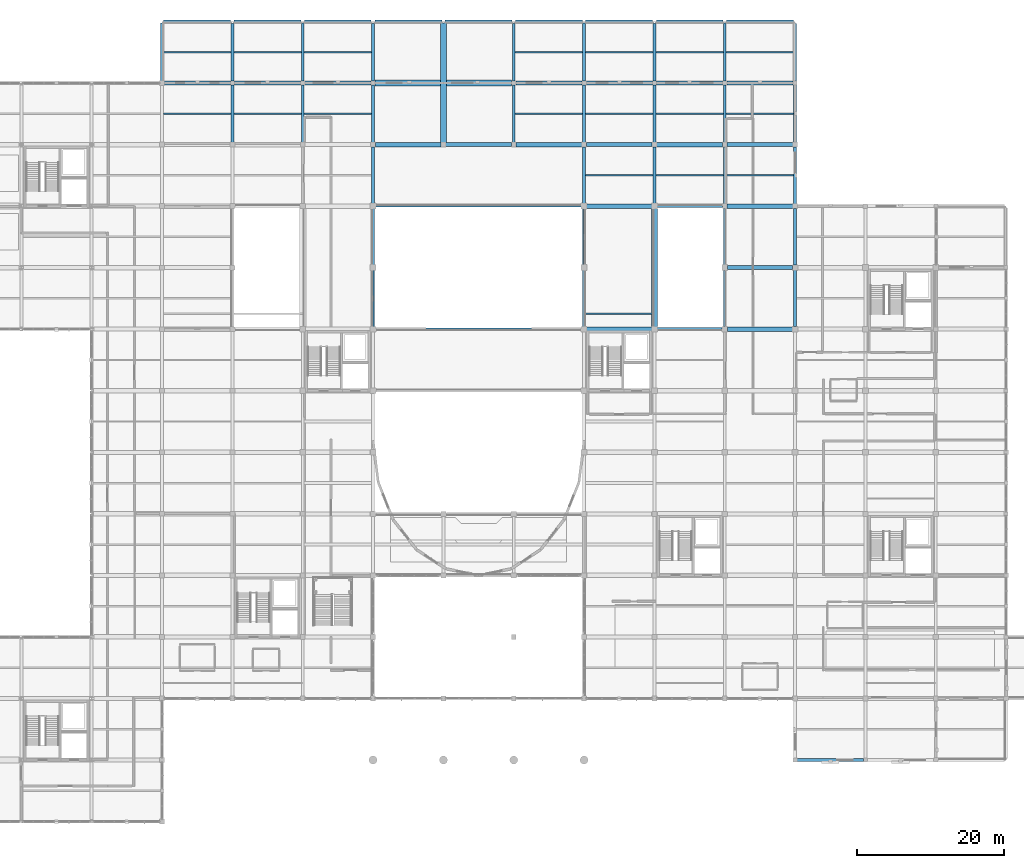
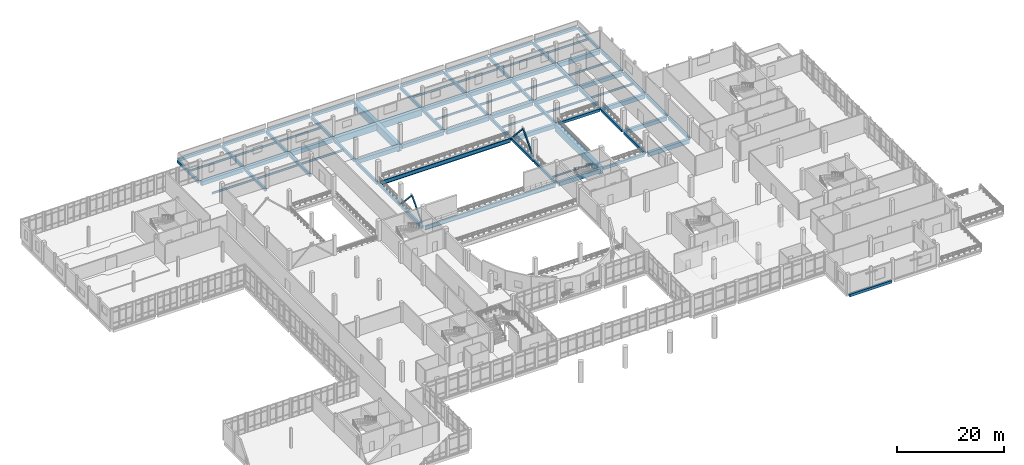
# One storey, part 60 of 102: 83 beams, 4 members.
"""IFC4 building model written with IfcOpenShell, lengths in metres."""

from ifc_helpers import new_model, si_unit, direction, frame, origin, origin_2d, place, context, subcontext, project, spatial, rectangle, hollow_rectangle, i_section, extrude, material, material_profile, profile_set, type_object, element, save


model = new_model("IFC4")

# Units and contexts
model_context = context("Model", 3, precision=1e-05, world=origin(), true_north=direction((0.0, 1.0)))
body_context = subcontext(model_context, "Body", "Model", "MODEL_VIEW")
ifc_project = project(units=[si_unit("LENGTHUNIT", "METRE"), si_unit("AREAUNIT", "SQUARE_METRE"), si_unit("VOLUMEUNIT", "CUBIC_METRE"), si_unit("PLANEANGLEUNIT", "RADIAN"), si_unit("MASSUNIT", "GRAM", prefix="KILO")], contexts=[model_context])

# Site, building, storey
site_placement = place(None, origin())
site = spatial("IfcSite", under=ifc_project, at=site_placement, CompositionType="ELEMENT")
building_placement = place(site_placement, origin())
building = spatial("IfcBuilding", under=site, at=building_placement, Name="Lornevale Opera House", CompositionType="ELEMENT")
storey_placement = place(building_placement, frame((0.0, 0.0, 5.39990234375)))
storey = spatial("IfcBuildingStorey", under=building, at=storey_placement, Name="L02", CompositionType="ELEMENT", Elevation=5.39990234375)

# Beams
ifc_material_1 = material(Name="Concrete 35 MPa (CSA A23.1 N)", Category="concrete")
ifc_material_profile_1 = material_profile(ifc_material_1, rectangle(XDim=0.39990234375, YDim=0.699951171875, at=origin_2d()), Name="RC400x700")
ifc_profile_set_1 = profile_set([ifc_material_profile_1], Name="Concrete 35 MPa (CSA A23.1 N)")
beam_type_1 = type_object("IfcBeamType", Name="Concrete Floor Beam 400x700", PredefinedType="USERDEFINED", material=ifc_profile_set_1)
beam_1_placement = place(storey_placement, frame((48.0, 92.699951171875, -0.699951171875), z_axis=(0.0, 1.0, 0.0), x_axis=(-1.0, 0.0, 0.0)))
element("IfcBeam", 1, at=beam_1_placement, inside=storey, type_object=beam_type_1, Name="Concrete Floor Beam 400x700 1879", ObjectType="GIRDER", PredefinedType="USERDEFINED", context=body_context, shape_type="SweptSolid", body=[
    extrude(rectangle(XDim=0.39990234375, YDim=0.699951171875, at=origin_2d()), origin(), (0.0, 0.0, 1.0), 7.824951171875),
])
beam_2_placement = place(storey_placement, frame((48.0, 101.074951171875, -0.699951171875), z_axis=(0.0, 1.0, 0.0), x_axis=(-1.0, 0.0, 0.0)))
element("IfcBeam", 2, at=beam_2_placement, inside=storey, type_object=beam_type_1, Name="Concrete Floor Beam 400x700 1880", ObjectType="GIRDER", PredefinedType="USERDEFINED", context=body_context, shape_type="SweptSolid", body=[
    extrude(rectangle(XDim=0.39990234375, YDim=0.699951171875, at=origin_2d()), origin(), (0.0, 0.0, 1.0), 7.875),
])
beam_3_placement = place(storey_placement, frame((57.60009765625, 92.699951171875, -0.72998046875), z_axis=(0.0, 1.0, 0.0), x_axis=(-1.0, 0.0, 0.0)))
element("IfcBeam", 3, at=beam_3_placement, inside=storey, type_object=beam_type_1, Name="Concrete Floor Beam 400x700 1889", ObjectType="GIRDER", PredefinedType="USERDEFINED", context=body_context, shape_type="SweptSolid", body=[
    extrude(rectangle(XDim=0.39990234375, YDim=0.699951171875, at=origin_2d()), origin(), (0.0, 0.0, 1.0), 7.824951171875),
])
for number, where, z_axis, x_axis, name in (
    (4, (57.60009765625, 101.074951171875, -0.72998046875), (0.0, 1.0, 0.0), (-1.0, 0.0, 0.0), "Concrete Floor Beam 400x700 1890"),
    (5, (67.199951171875, 84.199951171875, -0.72998046875), (0.0, 1.0, 0.0), (-1.0, 0.0, 0.0), "Concrete Floor Beam 400x700 1899"),
):
    element("IfcBeam", number, at=place(storey_placement, frame(where, z_axis=z_axis, x_axis=x_axis)), inside=storey, type_object=beam_type_1, Name=name, ObjectType="GIRDER", PredefinedType="USERDEFINED", context=body_context, shape_type="SweptSolid", body=[
        extrude(rectangle(XDim=0.39990234375, YDim=0.699951171875, at=origin_2d()), origin(), (0.0, 0.0, 1.0), 7.900146484375),
    ])
beam_4_placement = place(storey_placement, frame((67.199951171875, 92.699951171875, -0.72998046875), z_axis=(0.0, 1.0, 0.0), x_axis=(-1.0, 0.0, 0.0)))
element("IfcBeam", 6, at=beam_4_placement, inside=storey, type_object=beam_type_1, Name="Concrete Floor Beam 400x700 1900", ObjectType="GIRDER", PredefinedType="USERDEFINED", context=body_context, shape_type="SweptSolid", body=[
    extrude(rectangle(XDim=0.39990234375, YDim=0.699951171875, at=origin_2d()), origin(), (0.0, 0.0, 1.0), 7.824951171875),
])
beam_5_placement = place(storey_placement, frame((67.199951171875, 101.074951171875, -0.72998046875), z_axis=(0.0, 1.0, 0.0), x_axis=(-1.0, 0.0, 0.0)))
element("IfcBeam", 7, at=beam_5_placement, inside=storey, type_object=beam_type_1, Name="Concrete Floor Beam 400x700 1901", ObjectType="GIRDER", PredefinedType="USERDEFINED", context=body_context, shape_type="SweptSolid", body=[
    extrude(rectangle(XDim=0.39990234375, YDim=0.699951171875, at=origin_2d()), origin(), (0.0, 0.0, 1.0), 7.875),
])
beam_6_placement = place(storey_placement, frame((86.39990234375, 92.699951171875, -0.72998046875), z_axis=(0.0, 1.0, 0.0), x_axis=(-1.0, 0.0, 0.0)))
element("IfcBeam", 8, at=beam_6_placement, inside=storey, type_object=beam_type_1, Name="Concrete Floor Beam 400x700 1905", ObjectType="GIRDER", PredefinedType="USERDEFINED", context=body_context, shape_type="SweptSolid", body=[
    extrude(rectangle(XDim=0.39990234375, YDim=0.699951171875, at=origin_2d()), origin(), (0.0, 0.0, 1.0), 7.824951171875),
])
beam_7_placement = place(storey_placement, frame((86.39990234375, 101.074951171875, -0.72998046875), z_axis=(0.0, 1.0, 0.0), x_axis=(-1.0, 0.0, 0.0)))
element("IfcBeam", 9, at=beam_7_placement, inside=storey, type_object=beam_type_1, Name="Concrete Floor Beam 400x700 1906", ObjectType="GIRDER", PredefinedType="USERDEFINED", context=body_context, shape_type="SweptSolid", body=[
    extrude(rectangle(XDim=0.39990234375, YDim=0.699951171875, at=origin_2d()), origin(), (0.0, 0.0, 1.0), 7.875),
])
beam_8_placement = place(storey_placement, frame((96.0, 84.199951171875, -0.72998046875), z_axis=(0.0, 1.0, 0.0), x_axis=(-1.0, 0.0, 0.0)))
element("IfcBeam", 10, at=beam_8_placement, inside=storey, type_object=beam_type_1, Name="Concrete Floor Beam 400x700 1915", ObjectType="GIRDER", PredefinedType="USERDEFINED", context=body_context, shape_type="SweptSolid", body=[
    extrude(rectangle(XDim=0.39990234375, YDim=0.699951171875, at=origin_2d()), origin(), (0.0, 0.0, 1.0), 7.900146484375),
])
beam_9_placement = place(storey_placement, frame((96.0, 92.699951171875, -0.72998046875), z_axis=(0.0, 1.0, 0.0), x_axis=(-1.0, 0.0, 0.0)))
element("IfcBeam", 11, at=beam_9_placement, inside=storey, type_object=beam_type_1, Name="Concrete Floor Beam 400x700 1916", ObjectType="GIRDER", PredefinedType="USERDEFINED", context=body_context, shape_type="SweptSolid", body=[
    extrude(rectangle(XDim=0.39990234375, YDim=0.699951171875, at=origin_2d()), origin(), (0.0, 0.0, 1.0), 7.824951171875),
])
for number, where, z_axis, x_axis, name in (
    (12, (96.0, 101.074951171875, -0.72998046875), (0.0, 1.0, 0.0), (-1.0, 0.0, 0.0), "Concrete Floor Beam 400x700 1917"),
    (13, (105.60009765625, 84.199951171875, -0.72998046875), (0.0, 1.0, 0.0), (-1.0, 0.0, 0.0), "Concrete Floor Beam 400x700 1925"),
):
    element("IfcBeam", number, at=place(storey_placement, frame(where, z_axis=z_axis, x_axis=x_axis)), inside=storey, type_object=beam_type_1, Name=name, ObjectType="GIRDER", PredefinedType="USERDEFINED", context=body_context, shape_type="SweptSolid", body=[
        extrude(rectangle(XDim=0.39990234375, YDim=0.699951171875, at=origin_2d()), origin(), (0.0, 0.0, 1.0), 7.900146484375),
    ])
beam_10_placement = place(storey_placement, frame((105.60009765625, 92.699951171875, -0.72998046875), z_axis=(0.0, 1.0, 0.0), x_axis=(-1.0, 0.0, 0.0)))
element("IfcBeam", 14, at=beam_10_placement, inside=storey, type_object=beam_type_1, Name="Concrete Floor Beam 400x700 1926", ObjectType="GIRDER", PredefinedType="USERDEFINED", context=body_context, shape_type="SweptSolid", body=[
    extrude(rectangle(XDim=0.39990234375, YDim=0.699951171875, at=origin_2d()), origin(), (0.0, 0.0, 1.0), 7.824951171875),
])
beam_11_placement = place(storey_placement, frame((105.60009765625, 101.074951171875, -0.72998046875), z_axis=(0.0, 1.0, 0.0), x_axis=(-1.0, 0.0, 0.0)))
element("IfcBeam", 15, at=beam_11_placement, inside=storey, type_object=beam_type_1, Name="Concrete Floor Beam 400x700 1927", ObjectType="GIRDER", PredefinedType="USERDEFINED", context=body_context, shape_type="SweptSolid", body=[
    extrude(rectangle(XDim=0.39990234375, YDim=0.699951171875, at=origin_2d()), origin(), (0.0, 0.0, 1.0), 7.875),
])
beam_12_placement = place(storey_placement, frame((115.199951171875, 84.300048828125, -0.72998046875), z_axis=(0.0, 1.0, 0.0), x_axis=(-1.0, 0.0, 0.0)))
element("IfcBeam", 16, at=beam_12_placement, inside=storey, type_object=beam_type_1, Name="Concrete Floor Beam 400x700 1936", ObjectType="GIRDER", PredefinedType="USERDEFINED", context=body_context, shape_type="SweptSolid", body=[
    extrude(rectangle(XDim=0.39990234375, YDim=0.699951171875, at=origin_2d()), origin(), (0.0, 0.0, 1.0), 7.800048828125),
])
beam_13_placement = place(storey_placement, frame((115.199951171875, 92.699951171875, -0.72998046875), z_axis=(0.0, 1.0, 0.0), x_axis=(-1.0, 0.0, 0.0)))
element("IfcBeam", 17, at=beam_13_placement, inside=storey, type_object=beam_type_1, Name="Concrete Floor Beam 400x700 1937", ObjectType="GIRDER", PredefinedType="USERDEFINED", context=body_context, shape_type="SweptSolid", body=[
    extrude(rectangle(XDim=0.39990234375, YDim=0.699951171875, at=origin_2d()), origin(), (0.0, 0.0, 1.0), 7.824951171875),
])
beam_14_placement = place(storey_placement, frame((115.199951171875, 101.074951171875, -0.72998046875), z_axis=(0.0, 1.0, 0.0), x_axis=(-1.0, 0.0, 0.0)))
element("IfcBeam", 18, at=beam_14_placement, inside=storey, type_object=beam_type_1, Name="Concrete Floor Beam 400x700 1938", ObjectType="GIRDER", PredefinedType="USERDEFINED", context=body_context, shape_type="SweptSolid", body=[
    extrude(rectangle(XDim=0.39990234375, YDim=0.699951171875, at=origin_2d()), origin(), (0.0, 0.0, 1.0), 7.900146484375),
])
beam_15_placement = place(storey_placement, frame((124.800048828125, 67.574951171875, -0.64990234375), z_axis=(0.0, 1.0, 0.0), x_axis=(-1.0, 0.0, 0.0)))
element("IfcBeam", 19, at=beam_15_placement, inside=storey, type_object=beam_type_1, Name="Concrete Floor Beam 400x700 1946", ObjectType="GIRDER", PredefinedType="USERDEFINED", context=body_context, shape_type="SweptSolid", body=[
    extrude(rectangle(XDim=0.39990234375, YDim=0.699951171875, at=origin_2d()), origin(), (0.0, 0.0, 1.0), 7.675048828125),
])
beam_16_placement = place(storey_placement, frame((124.800048828125, 75.949951171875, -0.64990234375), z_axis=(0.0, 1.0, 0.0), x_axis=(-1.0, 0.0, 0.0)))
element("IfcBeam", 20, at=beam_16_placement, inside=storey, type_object=beam_type_1, Name="Concrete Floor Beam 400x700 1947", ObjectType="GIRDER", PredefinedType="USERDEFINED", context=body_context, shape_type="SweptSolid", body=[
    extrude(rectangle(XDim=0.39990234375, YDim=0.699951171875, at=origin_2d()), origin(), (0.0, 0.0, 1.0), 7.75),
])
ifc_material_profile_2 = material_profile(ifc_material_1, rectangle(XDim=0.550048828125, YDim=0.85009765625, at=origin_2d()), Name="RC550x850")
ifc_profile_set_2 = profile_set([ifc_material_profile_2], Name="Concrete 35 MPa (CSA A23.1 N)")
beam_type_2 = type_object("IfcBeamType", Name="Concrete Primary Girder 550x850", PredefinedType="USERDEFINED", material=ifc_profile_set_2)
beam_17_placement = place(storey_placement, frame((115.574951171875, 75.60009765625, -0.724853515625), z_axis=(1.0, 0.0, 0.0), x_axis=(0.0, 1.0, 0.0)))
element("IfcBeam", 21, at=beam_17_placement, inside=storey, type_object=beam_type_2, Name="Concrete Primary Girder 550x850 1775", ObjectType="GIRDER", PredefinedType="USERDEFINED", context=body_context, shape_type="SweptSolid", body=[
    extrude(rectangle(XDim=0.550048828125, YDim=0.85009765625, at=origin_2d()), origin(), (0.0, 0.0, 1.0), 8.875),
])
for number, where, z_axis, x_axis, name in (
    (22, (77.10009765625, 92.39990234375, -0.804931640625), (1.0, 0.0, 0.0), (0.0, 1.0, 0.0), "Concrete Primary Girder 550x850 1800"),
    (23, (96.300048828125, 92.39990234375, -0.804931640625), (1.0, 0.0, 0.0), (0.0, 1.0, 0.0), "Concrete Primary Girder 550x850 1802"),
    (24, (115.5, 92.39990234375, -0.804931640625), (1.0, 0.0, 0.0), (0.0, 1.0, 0.0), "Concrete Primary Girder 550x850 1804"),
):
    element("IfcBeam", number, at=place(storey_placement, frame(where, z_axis=z_axis, x_axis=x_axis)), inside=storey, type_object=beam_type_2, Name=name, ObjectType="GIRDER", PredefinedType="USERDEFINED", context=body_context, shape_type="SweptSolid", body=[
        extrude(rectangle(XDim=0.550048828125, YDim=0.85009765625, at=origin_2d()), origin(), (0.0, 0.0, 1.0), 9.0),
    ])
for number, where, z_axis, x_axis, name in (
    (25, (48.27490234375, 100.800048828125, -0.804931640625), (1.0, 0.0, 0.0), (0.0, 1.0, 0.0), "Concrete Primary Girder 550x850 1810"),
    (26, (86.675048828125, 100.800048828125, -0.804931640625), (1.0, 0.0, 0.0), (0.0, 1.0, 0.0), "Concrete Primary Girder 550x850 1813"),
    (27, (105.875, 100.800048828125, -0.804931640625), (1.0, 0.0, 0.0), (0.0, 1.0, 0.0), "Concrete Primary Girder 550x850 1815"),
):
    element("IfcBeam", number, at=place(storey_placement, frame(where, z_axis=z_axis, x_axis=x_axis)), inside=storey, type_object=beam_type_2, Name=name, ObjectType="GIRDER", PredefinedType="USERDEFINED", context=body_context, shape_type="SweptSolid", body=[
        extrude(rectangle(XDim=0.550048828125, YDim=0.85009765625, at=origin_2d()), origin(), (0.0, 0.0, 1.0), 9.050048828125),
    ])
ifc_material_profile_3 = material_profile(ifc_material_1, rectangle(XDim=0.60009765625, YDim=0.949951171875, at=origin_2d()), Name="RC600x950")
ifc_profile_set_3 = profile_set([ifc_material_profile_3], Name="Concrete 35 MPa (CSA A23.1 N)")
beam_type_3 = type_object("IfcBeamType", Name="Concrete Primary Girder 600x950", PredefinedType="USERDEFINED", material=ifc_profile_set_3)
beam_18_placement = place(storey_placement, frame((96.35009765625, 67.199951171875, -0.77490234375), z_axis=(1.0, 0.0, 0.0), x_axis=(0.0, 1.0, 0.0)))
element("IfcBeam", 28, at=beam_18_placement, inside=storey, type_object=beam_type_3, Name="Concrete Primary Girder 600x950 1764", ObjectType="GIRDER", PredefinedType="USERDEFINED", context=body_context, shape_type="SweptSolid", body=[
    extrude(rectangle(XDim=0.60009765625, YDim=0.949951171875, at=origin_2d()), origin(), (0.0, 0.0, 1.0), 8.89990234375),
])
beam_19_placement = place(storey_placement, frame((115.574951171875, 67.199951171875, -0.77490234375), z_axis=(1.0, 0.0, 0.0), x_axis=(0.0, 1.0, 0.0)))
element("IfcBeam", 29, at=beam_19_placement, inside=storey, type_object=beam_type_3, Name="Concrete Primary Girder 600x950 1766", ObjectType="GIRDER", PredefinedType="USERDEFINED", context=body_context, shape_type="SweptSolid", body=[
    extrude(rectangle(XDim=0.60009765625, YDim=0.949951171875, at=origin_2d()), origin(), (0.0, 0.0, 1.0), 8.85009765625),
])
beam_20_placement = place(storey_placement, frame((96.35009765625, 84.0, -0.77490234375), z_axis=(1.0, 0.0, 0.0), x_axis=(0.0, 1.0, 0.0)))
element("IfcBeam", 30, at=beam_20_placement, inside=storey, type_object=beam_type_3, Name="Concrete Primary Girder 600x950 1786", ObjectType="GIRDER", PredefinedType="USERDEFINED", context=body_context, shape_type="SweptSolid", body=[
    extrude(rectangle(XDim=0.60009765625, YDim=0.949951171875, at=origin_2d()), origin(), (0.0, 0.0, 1.0), 8.89990234375),
])
for number, where, z_axis, x_axis, name in (
    (31, (115.5, 84.0, -0.77490234375), (1.0, 0.0, 0.0), (0.0, 1.0, 0.0), "Concrete Primary Girder 600x950 1788"),
    (32, (67.5, 92.39990234375, -0.85498046875), (1.0, 0.0, 0.0), (0.0, 1.0, 0.0), "Concrete Primary Girder 600x950 1799"),
    (33, (86.699951171875, 92.39990234375, -0.85498046875), (1.0, 0.0, 0.0), (0.0, 1.0, 0.0), "Concrete Primary Girder 600x950 1801"),
    (34, (105.89990234375, 92.39990234375, -0.85498046875), (1.0, 0.0, 0.0), (0.0, 1.0, 0.0), "Concrete Primary Girder 600x950 1803"),
):
    element("IfcBeam", number, at=place(storey_placement, frame(where, z_axis=z_axis, x_axis=x_axis)), inside=storey, type_object=beam_type_3, Name=name, ObjectType="GIRDER", PredefinedType="USERDEFINED", context=body_context, shape_type="SweptSolid", body=[
        extrude(rectangle(XDim=0.60009765625, YDim=0.949951171875, at=origin_2d()), origin(), (0.0, 0.0, 1.0), 9.0),
    ])
beam_21_placement = place(storey_placement, frame((38.699951171875, 100.800048828125, -0.824951171875), z_axis=(1.0, 0.0, 0.0), x_axis=(0.0, 1.0, 0.0)))
element("IfcBeam", 35, at=beam_21_placement, inside=storey, type_object=beam_type_3, Name="Concrete Primary Girder 600x950 1809", ObjectType="GIRDER", PredefinedType="USERDEFINED", context=body_context, shape_type="SweptSolid", body=[
    extrude(rectangle(XDim=0.60009765625, YDim=0.949951171875, at=origin_2d()), origin(), (0.0, 0.0, 1.0), 9.025146484375),
])
for number, where, z_axis, x_axis, name in (
    (36, (57.875, 100.800048828125, -0.85498046875), (1.0, 0.0, 0.0), (0.0, 1.0, 0.0), "Concrete Primary Girder 600x950 1811"),
    (37, (96.27490234375, 100.800048828125, -0.85498046875), (1.0, 0.0, 0.0), (0.0, 1.0, 0.0), "Concrete Primary Girder 600x950 1814"),
):
    element("IfcBeam", number, at=place(storey_placement, frame(where, z_axis=z_axis, x_axis=x_axis)), inside=storey, type_object=beam_type_3, Name=name, ObjectType="GIRDER", PredefinedType="USERDEFINED", context=body_context, shape_type="SweptSolid", body=[
        extrude(rectangle(XDim=0.60009765625, YDim=0.949951171875, at=origin_2d()), origin(), (0.0, 0.0, 1.0), 9.050048828125),
    ])
beam_22_placement = place(storey_placement, frame((115.47509765625, 100.800048828125, -0.85498046875), z_axis=(1.0, 0.0, 0.0), x_axis=(0.0, 1.0, 0.0)))
element("IfcBeam", 38, at=beam_22_placement, inside=storey, type_object=beam_type_3, Name="Concrete Primary Girder 600x950 1816", ObjectType="GIRDER", PredefinedType="USERDEFINED", context=body_context, shape_type="SweptSolid", body=[
    extrude(rectangle(XDim=0.60009765625, YDim=0.949951171875, at=origin_2d()), origin(), (0.0, 0.0, 1.0), 9.0498046875),
])
ifc_material_profile_4 = material_profile(ifc_material_1, rectangle(XDim=0.39990234375, YDim=0.60009765625, at=origin_2d()), Name="RC400x600")
ifc_profile_set_4 = profile_set([ifc_material_profile_4], Name="Concrete 35 MPa (CSA A23.1 N)")
beam_type_4 = type_object("IfcBeamType", Name="Concrete Spandrel Beam 400x600", PredefinedType="SPANDREL", material=ifc_profile_set_4)
beam_23_placement = place(storey_placement, frame((125.074951171875, 8.39990234375, -0.599853515625), z_axis=(1.0, 0.0, 0.0), x_axis=(0.0, 1.0, 0.0)))
element("IfcBeam", 39, at=beam_23_placement, inside=storey, type_object=beam_type_4, Name="Concrete Spandrel Beam 400x600 1678", PredefinedType="SPANDREL", context=body_context, shape_type="SweptSolid", body=[
    extrude(rectangle(XDim=0.39990234375, YDim=0.60009765625, at=origin_2d()), origin(), (0.0, 0.0, 1.0), 9.050048828125),
])
beam_24_placement = place(storey_placement, frame((105.949951171875, 67.199951171875, -0.599853515625), z_axis=(1.0, 0.0, 0.0), x_axis=(0.0, 1.0, 0.0)))
element("IfcBeam", 40, at=beam_24_placement, inside=storey, type_object=beam_type_4, Name="Concrete Spandrel Beam 400x600 1765", PredefinedType="SPANDREL", context=body_context, shape_type="SweptSolid", body=[
    extrude(rectangle(XDim=0.39990234375, YDim=0.60009765625, at=origin_2d()), origin(), (0.0, 0.0, 1.0), 8.875),
])
beam_25_placement = place(storey_placement, frame((105.949951171875, 84.0, -0.599853515625), z_axis=(1.0, 0.0, 0.0), x_axis=(0.0, 1.0, 0.0)))
element("IfcBeam", 41, at=beam_25_placement, inside=storey, type_object=beam_type_4, Name="Concrete Spandrel Beam 400x600 1787", PredefinedType="SPANDREL", context=body_context, shape_type="SweptSolid", body=[
    extrude(rectangle(XDim=0.39990234375, YDim=0.60009765625, at=origin_2d()), origin(), (0.0, 0.0, 1.0), 8.949951171875),
])
for number, where, z_axis, x_axis, name in (
    (42, (38.625, 109.199951171875, -0.58984375), (1.0, 0.0, 0.0), (0.0, 1.0, 0.0), "Concrete Spandrel Beam 400x600 1817"),
    (43, (48.25, 109.199951171875, -0.58984375), (1.0, 0.0, 0.0), (0.0, 1.0, 0.0), "Concrete Spandrel Beam 400x600 1818"),
    (44, (57.824951171875, 109.199951171875, -0.58984375), (1.0, 0.0, 0.0), (0.0, 1.0, 0.0), "Concrete Spandrel Beam 400x600 1819"),
    (45, (67.449951171875, 109.199951171875, -0.58984375), (1.0, 0.0, 0.0), (0.0, 1.0, 0.0), "Concrete Spandrel Beam 400x600 1820"),
    (46, (77.02490234375, 109.199951171875, -0.58984375), (1.0, 0.0, 0.0), (0.0, 1.0, 0.0), "Concrete Spandrel Beam 400x600 1821"),
    (47, (86.64990234375, 109.199951171875, -0.58984375), (1.0, 0.0, 0.0), (0.0, 1.0, 0.0), "Concrete Spandrel Beam 400x600 1822"),
    (48, (96.22509765625, 109.199951171875, -0.58984375), (1.0, 0.0, 0.0), (0.0, 1.0, 0.0), "Concrete Spandrel Beam 400x600 1823"),
    (49, (105.85009765625, 109.199951171875, -0.58984375), (1.0, 0.0, 0.0), (0.0, 1.0, 0.0), "Concrete Spandrel Beam 400x600 1824"),
    (50, (115.425048828125, 109.199951171875, -0.58984375), (1.0, 0.0, 0.0), (0.0, 1.0, 0.0), "Concrete Spandrel Beam 400x600 1825"),
):
    element("IfcBeam", number, at=place(storey_placement, frame(where, z_axis=z_axis, x_axis=x_axis)), inside=storey, type_object=beam_type_4, Name=name, PredefinedType="SPANDREL", context=body_context, shape_type="SweptSolid", body=[
        extrude(rectangle(XDim=0.39990234375, YDim=0.60009765625, at=origin_2d()), origin(), (0.0, 0.0, 1.0), 9.125),
    ])
beam_26_placement = place(storey_placement, frame((38.39990234375, 101.10009765625, -0.64990234375), z_axis=(0.0, 1.0, 0.0), x_axis=(-1.0, 0.0, 0.0)))
element("IfcBeam", 51, at=beam_26_placement, inside=storey, type_object=beam_type_4, Name="Concrete Spandrel Beam 400x600 1869", PredefinedType="SPANDREL", context=body_context, shape_type="SweptSolid", body=[
    extrude(rectangle(XDim=0.39990234375, YDim=0.60009765625, at=origin_2d()), origin(), (0.0, 0.0, 1.0), 7.875),
])
for number, where, z_axis, x_axis, name in (
    (52, (67.199951171875, 67.39990234375, -0.599853515625), (0.0, 1.0, 0.0), (-1.0, 0.0, 0.0), "Concrete Spandrel Beam 400x600 1897"),
    (53, (67.199951171875, 75.800048828125, -0.599853515625), (0.0, 1.0, 0.0), (-1.0, 0.0, 0.0), "Concrete Spandrel Beam 400x600 1898"),
    (54, (96.0, 67.39990234375, -0.599853515625), (0.0, 1.0, 0.0), (-1.0, 0.0, 0.0), "Concrete Spandrel Beam 400x600 1913"),
    (55, (96.0, 75.800048828125, -0.599853515625), (0.0, 1.0, 0.0), (-1.0, 0.0, 0.0), "Concrete Spandrel Beam 400x600 1914"),
):
    element("IfcBeam", number, at=place(storey_placement, frame(where, z_axis=z_axis, x_axis=x_axis)), inside=storey, type_object=beam_type_4, Name=name, PredefinedType="SPANDREL", context=body_context, shape_type="SweptSolid", body=[
        extrude(rectangle(XDim=0.39990234375, YDim=0.60009765625, at=origin_2d()), origin(), (0.0, 0.0, 1.0), 8.0),
    ])
beam_27_placement = place(storey_placement, frame((115.199951171875, 67.574951171875, -0.599853515625), z_axis=(0.0, 1.0, 0.0), x_axis=(-1.0, 0.0, 0.0)))
element("IfcBeam", 56, at=beam_27_placement, inside=storey, type_object=beam_type_4, Name="Concrete Spandrel Beam 400x600 1934", PredefinedType="SPANDREL", context=body_context, shape_type="SweptSolid", body=[
    extrude(rectangle(XDim=0.39990234375, YDim=0.60009765625, at=origin_2d()), origin(), (0.0, 0.0, 1.0), 7.650146484375),
])
beam_28_placement = place(storey_placement, frame((115.199951171875, 75.97509765625, -0.599853515625), z_axis=(0.0, 1.0, 0.0), x_axis=(-1.0, 0.0, 0.0)))
element("IfcBeam", 57, at=beam_28_placement, inside=storey, type_object=beam_type_4, Name="Concrete Spandrel Beam 400x600 1935", PredefinedType="SPANDREL", context=body_context, shape_type="SweptSolid", body=[
    extrude(rectangle(XDim=0.39990234375, YDim=0.60009765625, at=origin_2d()), origin(), (0.0, 0.0, 1.0), 7.724853515625),
])
beam_29_placement = place(storey_placement, frame((124.800048828125, 84.300048828125, -0.679931640625), z_axis=(0.0, 1.0, 0.0), x_axis=(-1.0, 0.0, 0.0)))
element("IfcBeam", 58, at=beam_29_placement, inside=storey, type_object=beam_type_4, Name="Concrete Spandrel Beam 400x600 1948", PredefinedType="SPANDREL", context=body_context, shape_type="SweptSolid", body=[
    extrude(rectangle(XDim=0.39990234375, YDim=0.60009765625, at=origin_2d()), origin(), (0.0, 0.0, 1.0), 7.800048828125),
])
beam_30_placement = place(storey_placement, frame((124.800048828125, 92.699951171875, -0.679931640625), z_axis=(0.0, 1.0, 0.0), x_axis=(-1.0, 0.0, 0.0)))
element("IfcBeam", 59, at=beam_30_placement, inside=storey, type_object=beam_type_4, Name="Concrete Spandrel Beam 400x600 1949", PredefinedType="SPANDREL", context=body_context, shape_type="SweptSolid", body=[
    extrude(rectangle(XDim=0.39990234375, YDim=0.60009765625, at=origin_2d()), origin(), (0.0, 0.0, 1.0), 7.824951171875),
])
beam_31_placement = place(storey_placement, frame((124.800048828125, 101.074951171875, -0.679931640625), z_axis=(0.0, 1.0, 0.0), x_axis=(-1.0, 0.0, 0.0)))
element("IfcBeam", 60, at=beam_31_placement, inside=storey, type_object=beam_type_4, Name="Concrete Spandrel Beam 400x600 1950", PredefinedType="SPANDREL", context=body_context, shape_type="SweptSolid", body=[
    extrude(rectangle(XDim=0.39990234375, YDim=0.60009765625, at=origin_2d()), origin(), (0.0, 0.0, 1.0), 7.875),
])
ifc_material_2 = material(Name="Concrete 40 MPa (CSA A23.1 C-1)", Category="concrete")
ifc_material_profile_5 = material_profile(ifc_material_2, rectangle(XDim=0.800048828125, YDim=1.449951171875, at=origin_2d()), Name="RC800x1450")
ifc_profile_set_5 = profile_set([ifc_material_profile_5], Name="Concrete 40 MPa (CSA A23.1 C-1)")
beam_type_5 = type_object("IfcBeamType", Name="Concrete Transfer Girder 800x1450", PredefinedType="USERDEFINED", material=ifc_profile_set_5)
beam_32_placement = place(storey_placement, frame((67.47509765625, 100.800048828125, -1.10498046875), z_axis=(1.0, 0.0, 0.0), x_axis=(0.0, 1.0, 0.0)))
element("IfcBeam", 61, at=beam_32_placement, inside=storey, type_object=beam_type_5, Name="Concrete Transfer Girder 800x1450 1812", ObjectType="TRANSFER GIRDER", PredefinedType="USERDEFINED", context=body_context, shape_type="SweptSolid", body=[
    extrude(rectangle(XDim=0.800048828125, YDim=1.449951171875, at=origin_2d()), origin(), (0.0, 0.0, 1.0), 18.64990234375),
])
ifc_material_profile_6 = material_profile(ifc_material_2, rectangle(XDim=0.85009765625, YDim=1.64990234375, at=origin_2d()), Name="RC850x1650")
ifc_profile_set_6 = profile_set([ifc_material_profile_6], Name="Concrete 40 MPa (CSA A23.1 C-1)")
beam_type_6 = type_object("IfcBeamType", Name="Concrete Transfer Girder 850x1650", PredefinedType="USERDEFINED", material=ifc_profile_set_6)
beam_33_placement = place(storey_placement, frame((76.800048828125, 92.699951171875, -1.204833984375), z_axis=(0.0, 1.0, 0.0), x_axis=(-1.0, 0.0, 0.0)))
element("IfcBeam", 62, at=beam_33_placement, inside=storey, type_object=beam_type_6, Name="Concrete Transfer Girder 850x1650 1903", ObjectType="TRANSFER GIRDER", PredefinedType="USERDEFINED", context=body_context, shape_type="SweptSolid", body=[
    extrude(rectangle(XDim=0.85009765625, YDim=1.64990234375, at=origin_2d()), origin(), (0.0, 0.0, 1.0), 16.275146484375),
])
beam_34_placement = place(storey_placement, frame((105.60009765625, 67.39990234375, -1.125), z_axis=(0.0, 1.0, 0.0), x_axis=(-1.0, 0.0, 0.0)))
element("IfcBeam", 63, at=beam_34_placement, inside=storey, type_object=beam_type_6, Name="Concrete Transfer Girder 850x1650 1924", ObjectType="TRANSFER GIRDER", PredefinedType="USERDEFINED", context=body_context, shape_type="SweptSolid", body=[
    extrude(rectangle(XDim=0.85009765625, YDim=1.64990234375, at=origin_2d()), origin(), (0.0, 0.0, 1.0), 16.400146484375),
])
ifc_material_3 = material(Name="Structural Steel CSA G40.21 Grade 350W (350 MPa)", Category="steel")
ifc_material_profile_7 = material_profile(ifc_material_3, i_section(OverallWidth=0.25390625, OverallDepth=0.35302734375, WebThickness=0.009521484375, FlangeThickness=0.016357421875, at=origin_2d()), Name="W360x91")
ifc_profile_set_7 = profile_set([ifc_material_profile_7], Name="Structural Steel CSA G40.21 Grade 350W (350 MPa)")
beam_type_7 = type_object("IfcBeamType", Name="Stage Wing Joist W360x91", PredefinedType="JOIST", material=ifc_profile_set_7)
beam_35_placement = place(storey_placement, frame((96.050048828125, 69.300048828125, -0.5), z_axis=(1.0, 0.0, 0.0), x_axis=(0.0, 1.0, 0.0)))
element("IfcBeam", 64, at=beam_35_placement, inside=storey, type_object=beam_type_7, Name="Stage Wing Joist W360x91 3041", PredefinedType="JOIST", context=body_context, shape_type="SweptSolid", body=[
    extrude(i_section(OverallWidth=0.25390625, OverallDepth=0.35302734375, WebThickness=0.009521484375, FlangeThickness=0.016357421875, at=origin_2d()), origin(), (0.0, 0.0, 1.0), 9.5),
])

# Members
ifc_material_profile_8 = material_profile(ifc_material_3, hollow_rectangle(XDim=0.25390625, YDim=0.25390625, WallThickness=0.0126953125, at=origin_2d()), Name="HSS254x254x13")
ifc_profile_set_8 = profile_set([ifc_material_profile_8], Name="Structural Steel CSA G40.21 Grade 350W (350 MPa)")
member_type = type_object("IfcMemberType", Name="Stagehouse Lateral Brace HSS254x254x13", PredefinedType="BRACE", material=ifc_profile_set_8)
member_placement = place(storey_placement, frame((67.199951171875, 67.60009765625, 0.10009765625), z_axis=(0.0, 0.67619862752, 0.736719360503), x_axis=(-1.0, 0.0, 0.0)))
element("IfcMember", 65, at=member_placement, inside=storey, type_object=member_type, Name="Stagehouse Lateral Brace HSS254x254x13 0106", PredefinedType="BRACE", context=body_context, shape_type="SweptSolid", body=[
    extrude(hollow_rectangle(XDim=0.25390625, YDim=0.25390625, WallThickness=0.0126953125, at=origin_2d()), origin(), (0.0, 0.0, 1.0), 5.619384765625),
])
for number, where, z_axis, x_axis, name in (
    (66, (67.199951171875, 75.199951171875, 0.10009765625), (0.0, -0.67622220721, 0.736697717165), (1.0, 0.0, 0.0), "Stagehouse Lateral Brace HSS254x254x13 0107"),
    (67, (96.0, 76.0, 0.10009765625), (0.0, 0.67622220721, 0.736697717165), (-1.0, 0.0, 0.0), "Stagehouse Lateral Brace HSS254x254x13 0118"),
    (68, (96.0, 83.60009765625, 0.10009765625), (0.0, -0.67622220721, 0.736697717165), (1.0, 0.0, 0.0), "Stagehouse Lateral Brace HSS254x254x13 0119"),
):
    element("IfcMember", number, at=place(storey_placement, frame(where, z_axis=z_axis, x_axis=x_axis)), inside=storey, type_object=member_type, Name=name, PredefinedType="BRACE", context=body_context, shape_type="SweptSolid", body=[
        extrude(hollow_rectangle(XDim=0.25390625, YDim=0.25390625, WallThickness=0.0126953125, at=origin_2d()), origin(), (0.0, 0.0, 1.0), 5.61962890625),
    ])

# Beams
ifc_material_profile_9 = material_profile(ifc_material_3, i_section(OverallWidth=0.19189453125, OverallDepth=0.462890625, WebThickness=0.010498046875, FlangeThickness=0.017578125, at=origin_2d()), Name="W460x89")
ifc_profile_set_9 = profile_set([ifc_material_profile_9], Name="Structural Steel CSA G40.21 Grade 350W (350 MPa)")
beam_type_8 = type_object("IfcBeamType", Name="Steel Floor Joist W460x89", PredefinedType="JOIST", material=ifc_profile_set_9)
for number, where, z_axis, x_axis, name in (
    (69, (38.60009765625, 96.60009765625, -0.596435546875), (1.0, 0.0, 0.0), (0.0, 1.0, 0.0), "Steel Floor Joist W460x89 2011"),
    (70, (38.60009765625, 105.0, -0.596435546875), (1.0, 0.0, 0.0), (0.0, 1.0, 0.0), "Steel Floor Joist W460x89 2012"),
    (71, (48.199951171875, 96.60009765625, -0.62646484375), (1.0, 0.0, 0.0), (0.0, 1.0, 0.0), "Steel Floor Joist W460x89 2019"),
    (72, (48.199951171875, 105.0, -0.62646484375), (1.0, 0.0, 0.0), (0.0, 1.0, 0.0), "Steel Floor Joist W460x89 2020"),
    (73, (57.800048828125, 96.60009765625, -0.62646484375), (1.0, 0.0, 0.0), (0.0, 1.0, 0.0), "Steel Floor Joist W460x89 2026"),
    (74, (57.800048828125, 105.0, -0.62646484375), (1.0, 0.0, 0.0), (0.0, 1.0, 0.0), "Steel Floor Joist W460x89 2027"),
    (75, (86.60009765625, 96.60009765625, -0.62646484375), (1.0, 0.0, 0.0), (0.0, 1.0, 0.0), "Steel Floor Joist W460x89 2031"),
    (76, (86.60009765625, 105.0, -0.62646484375), (1.0, 0.0, 0.0), (0.0, 1.0, 0.0), "Steel Floor Joist W460x89 2032"),
    (77, (96.199951171875, 88.199951171875, -0.62646484375), (1.0, 0.0, 0.0), (0.0, 1.0, 0.0), "Steel Floor Joist W460x89 2038"),
    (78, (96.199951171875, 96.60009765625, -0.62646484375), (1.0, 0.0, 0.0), (0.0, 1.0, 0.0), "Steel Floor Joist W460x89 2039"),
    (79, (96.199951171875, 105.0, -0.62646484375), (1.0, 0.0, 0.0), (0.0, 1.0, 0.0), "Steel Floor Joist W460x89 2040"),
    (80, (105.800048828125, 88.199951171875, -0.62646484375), (1.0, 0.0, 0.0), (0.0, 1.0, 0.0), "Steel Floor Joist W460x89 2046"),
    (81, (105.800048828125, 96.60009765625, -0.62646484375), (1.0, 0.0, 0.0), (0.0, 1.0, 0.0), "Steel Floor Joist W460x89 2047"),
    (82, (105.800048828125, 105.0, -0.62646484375), (1.0, 0.0, 0.0), (0.0, 1.0, 0.0), "Steel Floor Joist W460x89 2048"),
):
    element("IfcBeam", number, at=place(storey_placement, frame(where, z_axis=z_axis, x_axis=x_axis)), inside=storey, type_object=beam_type_8, Name=name, PredefinedType="JOIST", context=body_context, shape_type="SweptSolid", body=[
        extrude(i_section(OverallWidth=0.19189453125, OverallDepth=0.462890625, WebThickness=0.010498046875, FlangeThickness=0.017578125, at=origin_2d()), origin(), (0.0, 0.0, 1.0), 9.199951171875),
    ])
for number, where, z_axis, x_axis, name in (
    (83, (115.39990234375, 88.199951171875, -0.62646484375), (1.0, 0.0, 0.0), (0.0, 1.0, 0.0), "Steel Floor Joist W460x89 2053"),
    (84, (115.39990234375, 96.60009765625, -0.62646484375), (1.0, 0.0, 0.0), (0.0, 1.0, 0.0), "Steel Floor Joist W460x89 2054"),
    (85, (115.39990234375, 105.0, -0.62646484375), (1.0, 0.0, 0.0), (0.0, 1.0, 0.0), "Steel Floor Joist W460x89 2055"),
):
    element("IfcBeam", number, at=place(storey_placement, frame(where, z_axis=z_axis, x_axis=x_axis)), inside=storey, type_object=beam_type_8, Name=name, PredefinedType="JOIST", context=body_context, shape_type="SweptSolid", body=[
        extrude(i_section(OverallWidth=0.19189453125, OverallDepth=0.462890625, WebThickness=0.010498046875, FlangeThickness=0.017578125, at=origin_2d()), origin(), (0.0, 0.0, 1.0), 9.2001953125),
    ])
ifc_material_profile_10 = material_profile(ifc_material_3, i_section(OverallWidth=0.305908203125, OverallDepth=0.9189453125, WebThickness=0.017333984375, FlangeThickness=0.02783203125, at=origin_2d()), Name="W920x253")
ifc_profile_set_10 = profile_set([ifc_material_profile_10], Name="Structural Steel CSA G40.21 Grade 350W (350 MPa)")
beam_type_9 = type_object("IfcBeamType", Name="Steel Stagehouse Girder W920x253", PredefinedType="USERDEFINED", material=ifc_profile_set_10)
for number, where, z_axis, x_axis, name in (
    (86, (67.550048828125, 67.199951171875, -0.7744140625), (1.0, 0.0, 0.0), (0.0, 1.0, 0.0), "Steel Stagehouse Girder W920x253 1763"),
    (87, (67.550048828125, 84.0, -0.7744140625), (1.0, 0.0, 0.0), (0.0, 1.0, 0.0), "Steel Stagehouse Girder W920x253 1785"),
):
    element("IfcBeam", number, at=place(storey_placement, frame(where, z_axis=z_axis, x_axis=x_axis)), inside=storey, type_object=beam_type_9, Name=name, ObjectType="GIRDER", PredefinedType="USERDEFINED", context=body_context, shape_type="SweptSolid", body=[
        extrude(i_section(OverallWidth=0.305908203125, OverallDepth=0.9189453125, WebThickness=0.017333984375, FlangeThickness=0.02783203125, at=origin_2d()), origin(), (0.0, 0.0, 1.0), 28.099853515625),
    ])

save(model, "model.ifc")
